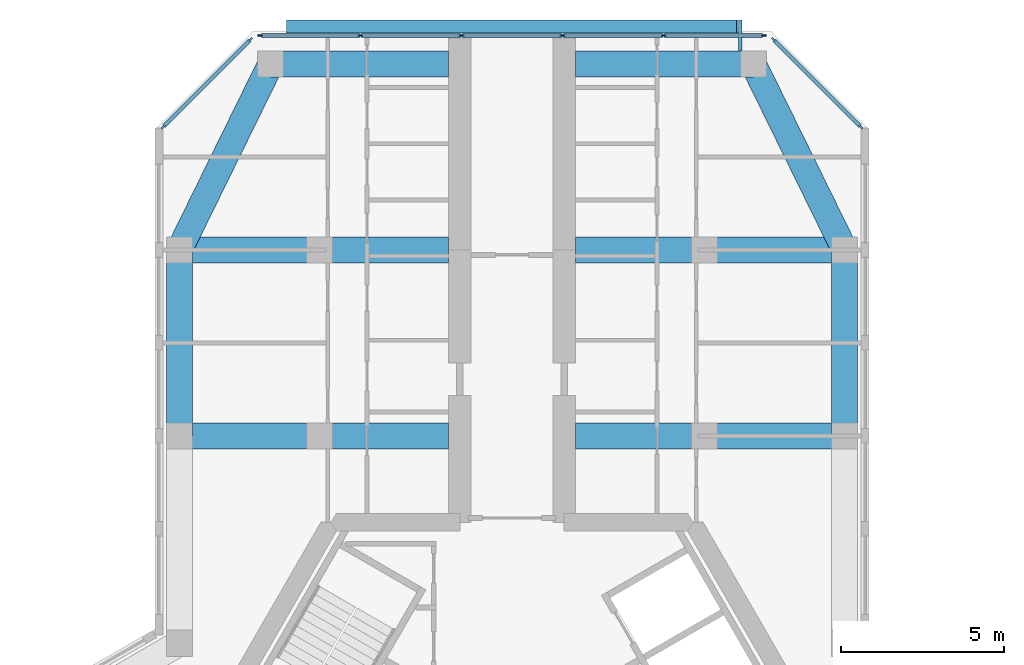
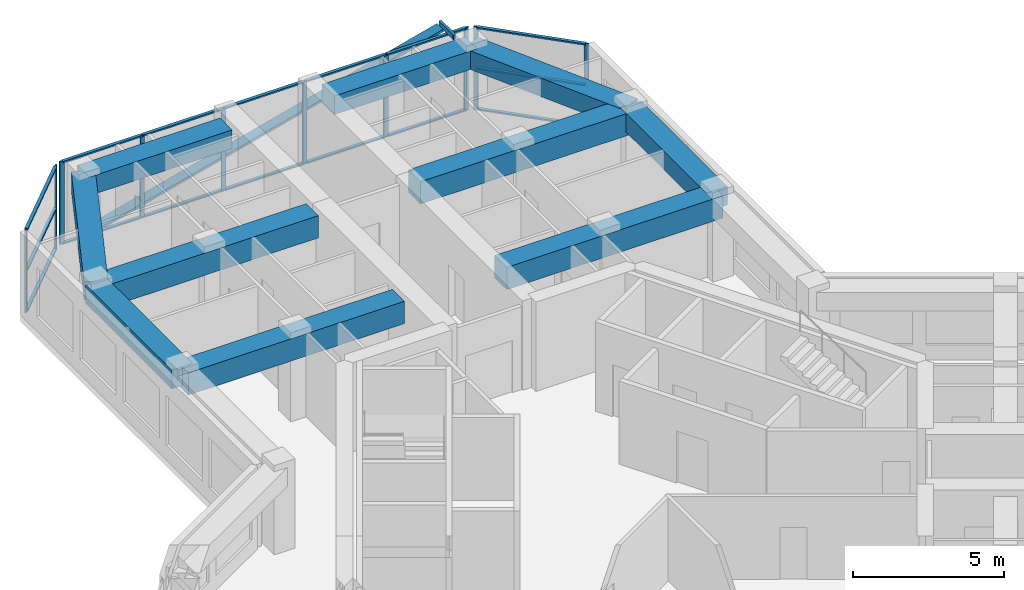
# One storey, part 5 of 14: 28 members, 10 beams, 3 elements without a shape of their own.
"""IFC4 building model written with IfcOpenShell, lengths in metres."""

from ifc_helpers import new_model, si_unit, direction, frame, origin, origin_2d, place, context, subcontext, project, spatial, rectangle, hollow_rectangle, extrude, material, material_profile, profile_set, type_object, element, aggregate, save


model = new_model("IFC4")

# Units and contexts
model_context = context("Model", 3, precision=1e-05, world=origin(), true_north=direction((0.0, 1.0)))
body_context = subcontext(model_context, "Body", "Model", "MODEL_VIEW")
ifc_project = project(units=[si_unit("LENGTHUNIT", "METRE"), si_unit("AREAUNIT", "SQUARE_METRE"), si_unit("VOLUMEUNIT", "CUBIC_METRE"), si_unit("PLANEANGLEUNIT", "RADIAN"), si_unit("MASSUNIT", "GRAM", prefix="KILO")], contexts=[model_context])

# Site, building, storey
site_placement = place(None, origin())
site = spatial("IfcSite", under=ifc_project, at=site_placement, CompositionType="ELEMENT")
building_placement = place(site_placement, origin())
building = spatial("IfcBuilding", under=site, at=building_placement, Name="Kosmar Iwan School Tower", CompositionType="ELEMENT")
storey_placement = place(building_placement, frame((0.0, 0.0, 281.800048828125)))
storey = spatial("IfcBuildingStorey", under=building, at=storey_placement, Name="L71", CompositionType="ELEMENT", Elevation=281.800048828125)

# Members
ifc_material_1 = material(Name="Black anodised aluminium", Category="aluminium")
ifc_material_profile_1 = material_profile(ifc_material_1, rectangle(XDim=0.10009765625, YDim=0.39990234375, at=origin_2d()), Name="FIN 100x400")
ifc_profile_set_1 = profile_set([ifc_material_profile_1], Name="Black anodised aluminium")
member_type_1 = type_object("IfcMemberType", Name="Diagonal fin 100x400", PredefinedType="USERDEFINED", material=ifc_profile_set_1)
member_1_placement = place(storey_placement, frame((-6.898193359375, 24.800048828125, -0.150146484375), z_axis=(0.967599450335, 0.0, 0.252490205179), x_axis=(-0.252490205179, 0.0, 0.967599450335)))
element("IfcMember", 1, at=member_1_placement, inside=storey, type_object=member_type_1, Name="Diagonal fin L71-F08", ObjectType="FIN", PredefinedType="USERDEFINED", context=body_context, shape_type="SweptSolid", body=[
    extrude(rectangle(XDim=0.10009765625, YDim=0.39990234375, at=origin_2d()), origin(), (0.0, 0.0, 1.0), 14.25830078125),
])
ifc_material_2 = material(Name="Steel S355", Category="steel")
ifc_material_profile_2 = material_profile(ifc_material_2, hollow_rectangle(XDim=0.10009765625, YDim=0.199951171875, WallThickness=0.008056640625, at=origin_2d()), Name="RHS 200x100x8")
ifc_profile_set_2 = profile_set([ifc_material_profile_2], Name="Steel S355")
member_type_2 = type_object("IfcMemberType", Name="Fin bracket RHS 200x100", PredefinedType="USERDEFINED", material=ifc_profile_set_2)
member_2_placement = place(storey_placement, frame((7.0, 24.050048828125, 3.474853515625), z_axis=(0.0, 1.0, 0.0), x_axis=(-1.0, 0.0, 0.0)))
element("IfcMember", 2, at=member_2_placement, inside=storey, type_object=member_type_2, Name="Fin bracket L72", ObjectType="FIN BRACKET", PredefinedType="USERDEFINED", context=body_context, shape_type="SweptSolid", body=[
    extrude(hollow_rectangle(XDim=0.10009765625, YDim=0.199951171875, WallThickness=0.008056640625, at=origin_2d()), origin(), (0.0, 0.0, 1.0), 0.949951171875),
])

# Curtain wall, members
ifc_material_3 = material(Name="Dark glass in black aluminium frame", Category="aluminium")
curtain_wall_type_1 = type_object("IfcCurtainWallType", Name="Chamfer curtain wall dark glass", PredefinedType="USERDEFINED", material=ifc_material_3)
curtain_wall_1_placement = place(storey_placement, origin())
curtain_wall_1 = element("IfcCurtainWall", 3, at=curtain_wall_1_placement, inside=storey, type_object=curtain_wall_type_1, Name="Curtain wall L71-F07", ObjectType="FACETED CURTAIN WALL", PredefinedType="USERDEFINED")
ifc_material_4 = material(Name="Black anodised aluminium", Category="aluminium")
ifc_material_profile_3 = material_profile(ifc_material_4, rectangle(XDim=0.06005859375, YDim=0.159912109375, at=origin_2d()), Name="MULLION 60x160")
ifc_profile_set_3 = profile_set([ifc_material_profile_3], Name="Black anodised aluminium")
member_type_3 = type_object("IfcMemberType", Name="Mullion 60x160", PredefinedType="MULLION", material=ifc_profile_set_3)
member_3_placement = place(storey_placement, frame((10.69775390625, 21.7255859375, 0.0), z_axis=(0.0, 0.0, 1.0), x_axis=(-0.707106781187, -0.707106781187, 0.0)))
member_3 = element("IfcMember", 4, at=member_3_placement, type_object=member_type_3, Name="CW2 mullion 1", PredefinedType="MULLION", context=body_context, shape_type="SweptSolid", body=[
    extrude(rectangle(XDim=0.06005859375, YDim=0.159912109375, at=origin_2d()), origin(), (0.0, 0.0, 1.0), 3.349853515625),
])
member_4_placement = place(storey_placement, frame((8.025390625, 24.397705078125, 0.0), z_axis=(0.0, 0.0, 1.0), x_axis=(-0.707106781187, -0.707106781187, 0.0)))
member_4 = element("IfcMember", 5, at=member_4_placement, type_object=member_type_3, Name="CW2 mullion 2", PredefinedType="MULLION", context=body_context, shape_type="SweptSolid", body=[
    extrude(rectangle(XDim=0.06005859375, YDim=0.159912109375, at=origin_2d()), origin(), (0.0, 0.0, 1.0), 3.349853515625),
])

ifc_material_5 = material(Name="Dark glass in black aluminium frame", Category="aluminium")
curtain_wall_type_2 = type_object("IfcCurtainWallType", Name="Tower curtain wall dark glass", PredefinedType="USERDEFINED", material=ifc_material_5)
curtain_wall_2_placement = place(storey_placement, origin())
curtain_wall_2 = element("IfcCurtainWall", 6, at=curtain_wall_2_placement, inside=storey, type_object=curtain_wall_type_2, Name="Curtain wall L71-F08", ObjectType="UNITISED CURTAIN WALL", PredefinedType="USERDEFINED")
member_5_placement = place(storey_placement, frame((7.71826171875, 24.52490234375, 0.0), z_axis=(0.0, 0.0, 1.0), x_axis=(0.0, -1.0, 0.0)))
member_5 = element("IfcMember", 7, at=member_5_placement, type_object=member_type_3, Name="CW1 mullion 1", PredefinedType="MULLION", context=body_context, shape_type="SweptSolid", body=[
    extrude(rectangle(XDim=0.06005859375, YDim=0.159912109375, at=origin_2d()), origin(), (0.0, 0.0, 1.0), 3.349853515625),
])
member_6_placement = place(storey_placement, frame((4.64892578125, 24.52490234375, 0.0), z_axis=(0.0, 0.0, 1.0), x_axis=(0.0, -1.0, 0.0)))
member_6 = element("IfcMember", 8, at=member_6_placement, type_object=member_type_3, Name="CW1 mullion 2", PredefinedType="MULLION", context=body_context, shape_type="SweptSolid", body=[
    extrude(rectangle(XDim=0.06005859375, YDim=0.159912109375, at=origin_2d()), origin(), (0.0, 0.0, 1.0), 3.349853515625),
])
member_7_placement = place(storey_placement, frame((1.549560546875, 24.52490234375, 0.0), z_axis=(0.0, 0.0, 1.0), x_axis=(0.0, -1.0, 0.0)))
member_7 = element("IfcMember", 9, at=member_7_placement, type_object=member_type_3, Name="CW1 mullion 3", PredefinedType="MULLION", context=body_context, shape_type="SweptSolid", body=[
    extrude(rectangle(XDim=0.06005859375, YDim=0.159912109375, at=origin_2d()), origin(), (0.0, 0.0, 1.0), 3.349853515625),
])
member_8_placement = place(storey_placement, frame((-1.549560546875, 24.52490234375, 0.0), z_axis=(0.0, 0.0, 1.0), x_axis=(0.0, -1.0, 0.0)))
member_8 = element("IfcMember", 10, at=member_8_placement, type_object=member_type_3, Name="CW1 mullion 4", PredefinedType="MULLION", context=body_context, shape_type="SweptSolid", body=[
    extrude(rectangle(XDim=0.06005859375, YDim=0.159912109375, at=origin_2d()), origin(), (0.0, 0.0, 1.0), 3.349853515625),
])
member_9_placement = place(storey_placement, frame((-4.64892578125, 24.52490234375, 0.0), z_axis=(0.0, 0.0, 1.0), x_axis=(0.0, -1.0, 0.0)))
member_9 = element("IfcMember", 11, at=member_9_placement, type_object=member_type_3, Name="CW1 mullion 5", PredefinedType="MULLION", context=body_context, shape_type="SweptSolid", body=[
    extrude(rectangle(XDim=0.06005859375, YDim=0.159912109375, at=origin_2d()), origin(), (0.0, 0.0, 1.0), 3.349853515625),
])
member_10_placement = place(storey_placement, frame((-7.71826171875, 24.52490234375, 0.0), z_axis=(0.0, 0.0, 1.0), x_axis=(0.0, -1.0, 0.0)))
member_10 = element("IfcMember", 12, at=member_10_placement, type_object=member_type_3, Name="CW1 mullion 6", PredefinedType="MULLION", context=body_context, shape_type="SweptSolid", body=[
    extrude(rectangle(XDim=0.06005859375, YDim=0.159912109375, at=origin_2d()), origin(), (0.0, 0.0, 1.0), 3.349853515625),
])

curtain_wall_3_placement = place(storey_placement, origin())
curtain_wall_3 = element("IfcCurtainWall", 13, at=curtain_wall_3_placement, inside=storey, type_object=curtain_wall_type_1, Name="Curtain wall L71-F09", ObjectType="FACETED CURTAIN WALL", PredefinedType="USERDEFINED")
member_11_placement = place(storey_placement, frame((-8.025390625, 24.397705078125, 0.0), z_axis=(0.0, 0.0, 1.0), x_axis=(0.707106781187, -0.707106781187, 0.0)))
member_11 = element("IfcMember", 14, at=member_11_placement, type_object=member_type_3, Name="CW2 mullion 1", PredefinedType="MULLION", context=body_context, shape_type="SweptSolid", body=[
    extrude(rectangle(XDim=0.06005859375, YDim=0.159912109375, at=origin_2d()), origin(), (0.0, 0.0, 1.0), 3.349853515625),
])
member_12_placement = place(storey_placement, frame((-10.69775390625, 21.7255859375, 0.0), z_axis=(0.0, 0.0, 1.0), x_axis=(0.707106781187, -0.707106781187, 0.0)))
member_12 = element("IfcMember", 15, at=member_12_placement, type_object=member_type_3, Name="CW2 mullion 2", PredefinedType="MULLION", context=body_context, shape_type="SweptSolid", body=[
    extrude(rectangle(XDim=0.06005859375, YDim=0.159912109375, at=origin_2d()), origin(), (0.0, 0.0, 1.0), 3.349853515625),
])

# Beams
ifc_material_6 = material(Name="Concrete C50/60", Category="concrete")
ifc_material_profile_4 = material_profile(ifc_material_6, rectangle(XDim=0.800048828125, YDim=0.75, at=origin_2d()), Name="RC 800x750")
ifc_profile_set_4 = profile_set([ifc_material_profile_4], Name="Concrete C50/60")
beam_type_1 = type_object("IfcBeamType", Name="RC edge beam 800x750", PredefinedType="BEAM", material=ifc_profile_set_4)
for number, where, z_axis, x_axis, name in (
    (16, (-10.199951171875, 12.25, 2.974853515625), (0.0, 1.0, 0.0), (-1.0, 0.0, 0.0), "Edge beam AL2"),
    (17, (10.199951171875, 12.25, 2.974853515625), (0.0, 1.0, 0.0), (-1.0, 0.0, 0.0), "Edge beam AR2"),
):
    element("IfcBeam", number, at=place(storey_placement, frame(where, z_axis=z_axis, x_axis=x_axis)), inside=storey, type_object=beam_type_1, Name=name, PredefinedType="BEAM", context=body_context, shape_type="SweptSolid", body=[
        extrude(rectangle(XDim=0.800048828125, YDim=0.75, at=origin_2d()), origin(), (0.0, 0.0, 1.0), 5.699951171875),
    ])
ifc_material_7 = material(Name="Concrete C50/60", Category="concrete")
ifc_material_profile_5 = material_profile(ifc_material_7, rectangle(XDim=0.800048828125, YDim=0.75, at=origin_2d()), Name="RC 800x750")
ifc_profile_set_5 = profile_set([ifc_material_profile_5], Name="Concrete C50/60")
beam_type_2 = type_object("IfcBeamType", Name="RC tip beam 800x750", PredefinedType="BEAM", material=ifc_profile_set_5)
beam_1_placement = place(storey_placement, frame((-10.199951171875, 17.949951171875, 2.974853515625), z_axis=(0.440913116462, 0.897549788999, 0.0), x_axis=(-0.897549788999, 0.440913116462, 0.0)))
element("IfcBeam", 18, at=beam_1_placement, inside=storey, type_object=beam_type_2, Name="Tip beam AL", PredefinedType="BEAM", context=body_context, shape_type="SweptSolid", body=[
    extrude(rectangle(XDim=0.800048828125, YDim=0.75, at=origin_2d()), origin(), (0.0, 0.0, 1.0), 6.3505859375),
])
beam_2_placement = place(storey_placement, frame((-7.39990234375, 23.64990234375, 2.974853515625), z_axis=(1.0, 0.0, 0.0), x_axis=(0.0, 1.0, 0.0)))
element("IfcBeam", 19, at=beam_2_placement, inside=storey, type_object=beam_type_2, Name="Tip beam AL to corridor wall", PredefinedType="BEAM", context=body_context, shape_type="SweptSolid", body=[
    extrude(rectangle(XDim=0.800048828125, YDim=0.75, at=origin_2d()), origin(), (0.0, 0.0, 1.0), 5.449951171875),
])
beam_3_placement = place(storey_placement, frame((10.199951171875, 17.949951171875, 2.974853515625), z_axis=(-0.440913116462, 0.897549788999, 0.0), x_axis=(-0.897549788999, -0.440913116462, 0.0)))
element("IfcBeam", 20, at=beam_3_placement, inside=storey, type_object=beam_type_2, Name="Tip beam AR", PredefinedType="BEAM", context=body_context, shape_type="SweptSolid", body=[
    extrude(rectangle(XDim=0.800048828125, YDim=0.75, at=origin_2d()), origin(), (0.0, 0.0, 1.0), 6.3505859375),
])
beam_4_placement = place(storey_placement, frame((7.39990234375, 23.64990234375, 2.974853515625), z_axis=(-1.0, 0.0, 0.0), x_axis=(0.0, -1.0, 0.0)))
element("IfcBeam", 21, at=beam_4_placement, inside=storey, type_object=beam_type_2, Name="Tip beam AR to corridor wall", PredefinedType="BEAM", context=body_context, shape_type="SweptSolid", body=[
    extrude(rectangle(XDim=0.800048828125, YDim=0.75, at=origin_2d()), origin(), (0.0, 0.0, 1.0), 5.449951171875),
])
ifc_material_8 = material(Name="Concrete C50/60", Category="concrete")
ifc_material_profile_6 = material_profile(ifc_material_8, rectangle(XDim=0.800048828125, YDim=0.89990234375, at=origin_2d()), Name="RC 800x900")
ifc_profile_set_6 = profile_set([ifc_material_profile_6], Name="Concrete C50/60")
beam_type_3 = type_object("IfcBeamType", Name="RC transverse beam 800x900", PredefinedType="BEAM", material=ifc_profile_set_6)
for number, where, z_axis, x_axis, name in (
    (22, (-10.199951171875, 12.25, 2.89990234375), (1.0, 0.0, 0.0), (0.0, 1.0, 0.0), "Transverse beam AL1"),
    (23, (-10.199951171875, 17.949951171875, 2.89990234375), (1.0, 0.0, 0.0), (0.0, 1.0, 0.0), "Transverse beam AL2"),
    (24, (10.199951171875, 12.25, 2.89990234375), (-1.0, 0.0, 0.0), (0.0, -1.0, 0.0), "Transverse beam AR1"),
    (25, (10.199951171875, 17.949951171875, 2.89990234375), (-1.0, 0.0, 0.0), (0.0, -1.0, 0.0), "Transverse beam AR2"),
):
    element("IfcBeam", number, at=place(storey_placement, frame(where, z_axis=z_axis, x_axis=x_axis)), inside=storey, type_object=beam_type_3, Name=name, PredefinedType="BEAM", context=body_context, shape_type="SweptSolid", body=[
        extrude(rectangle(XDim=0.800048828125, YDim=0.89990234375, at=origin_2d()), origin(), (0.0, 0.0, 1.0), 8.25),
    ])

# Member
ifc_material_9 = material(Name="Black anodised aluminium", Category="aluminium")
ifc_material_profile_7 = material_profile(ifc_material_9, rectangle(XDim=0.1201171875, YDim=0.06005859375, at=origin_2d()), Name="TRANSOM 60x120")
ifc_profile_set_7 = profile_set([ifc_material_profile_7], Name="Black anodised aluminium")
member_type_4 = type_object("IfcMemberType", Name="Transom 60x120", PredefinedType="USERDEFINED", material=ifc_profile_set_7)
member_13_placement = place(storey_placement, frame((10.676513671875, 21.746826171875, 0.030029296875), z_axis=(-0.707139603466, 0.707073957383, 0.0), x_axis=(-0.707073957383, -0.707139603466, 0.0)))
member_13 = element("IfcMember", 26, at=member_13_placement, type_object=member_type_4, Name="CW2 transom 1.1", ObjectType="TRANSOM", PredefinedType="USERDEFINED", context=body_context, shape_type="SweptSolid", body=[
    extrude(rectangle(XDim=0.1201171875, YDim=0.06005859375, at=origin_2d()), origin(), (0.0, 0.0, 1.0), 3.718994140625),
])

member_14_placement = place(storey_placement, frame((10.676513671875, 21.746826171875, 1.675048828125), z_axis=(-0.707139603466, 0.707073957383, 0.0), x_axis=(-0.707073957383, -0.707139603466, 0.0)))
member_14 = element("IfcMember", 27, at=member_14_placement, type_object=member_type_4, Name="CW2 transom 1.2", ObjectType="TRANSOM", PredefinedType="USERDEFINED", context=body_context, shape_type="SweptSolid", body=[
    extrude(rectangle(XDim=0.1201171875, YDim=0.06005859375, at=origin_2d()), origin(), (0.0, 0.0, 1.0), 3.718994140625),
])

member_15_placement = place(storey_placement, frame((10.676513671875, 21.746826171875, 3.320068359375), z_axis=(-0.707139603466, 0.707073957383, 0.0), x_axis=(-0.707073957383, -0.707139603466, 0.0)))
member_15 = element("IfcMember", 28, at=member_15_placement, type_object=member_type_4, Name="CW2 transom 1.3", ObjectType="TRANSOM", PredefinedType="USERDEFINED", context=body_context, shape_type="SweptSolid", body=[
    extrude(rectangle(XDim=0.1201171875, YDim=0.06005859375, at=origin_2d()), origin(), (0.0, 0.0, 1.0), 3.718994140625),
])

aggregate(curtain_wall_1, [member_3, member_4, member_13, member_14, member_15])

member_16_placement = place(storey_placement, frame((7.688232421875, 24.52490234375, 0.030029296875), z_axis=(-1.0, 0.0, 0.0), x_axis=(0.0, -1.0, 0.0)))
member_16 = element("IfcMember", 29, at=member_16_placement, type_object=member_type_4, Name="CW1 transom 1.1", ObjectType="TRANSOM", PredefinedType="USERDEFINED", context=body_context, shape_type="SweptSolid", body=[
    extrude(rectangle(XDim=0.1201171875, YDim=0.06005859375, at=origin_2d()), origin(), (0.0, 0.0, 1.0), 3.00927734375),
])

member_17_placement = place(storey_placement, frame((7.688232421875, 24.52490234375, 3.320068359375), z_axis=(-1.0, 0.0, 0.0), x_axis=(0.0, -1.0, 0.0)))
member_17 = element("IfcMember", 30, at=member_17_placement, type_object=member_type_4, Name="CW1 transom 1.2", ObjectType="TRANSOM", PredefinedType="USERDEFINED", context=body_context, shape_type="SweptSolid", body=[
    extrude(rectangle(XDim=0.1201171875, YDim=0.06005859375, at=origin_2d()), origin(), (0.0, 0.0, 1.0), 3.00927734375),
])

member_18_placement = place(storey_placement, frame((4.618896484375, 24.52490234375, 0.030029296875), z_axis=(-1.0, 0.0, 0.0), x_axis=(0.0, -1.0, 0.0)))
member_18 = element("IfcMember", 31, at=member_18_placement, type_object=member_type_4, Name="CW1 transom 2.1", ObjectType="TRANSOM", PredefinedType="USERDEFINED", context=body_context, shape_type="SweptSolid", body=[
    extrude(rectangle(XDim=0.1201171875, YDim=0.06005859375, at=origin_2d()), origin(), (0.0, 0.0, 1.0), 3.039306640625),
])

member_19_placement = place(storey_placement, frame((4.618896484375, 24.52490234375, 3.320068359375), z_axis=(-1.0, 0.0, 0.0), x_axis=(0.0, -1.0, 0.0)))
member_19 = element("IfcMember", 32, at=member_19_placement, type_object=member_type_4, Name="CW1 transom 2.2", ObjectType="TRANSOM", PredefinedType="USERDEFINED", context=body_context, shape_type="SweptSolid", body=[
    extrude(rectangle(XDim=0.1201171875, YDim=0.06005859375, at=origin_2d()), origin(), (0.0, 0.0, 1.0), 3.039306640625),
])

member_20_placement = place(storey_placement, frame((1.51953125, 24.52490234375, 0.030029296875), z_axis=(-1.0, 0.0, 0.0), x_axis=(0.0, -1.0, 0.0)))
member_20 = element("IfcMember", 33, at=member_20_placement, type_object=member_type_4, Name="CW1 transom 3.1", ObjectType="TRANSOM", PredefinedType="USERDEFINED", context=body_context, shape_type="SweptSolid", body=[
    extrude(rectangle(XDim=0.1201171875, YDim=0.06005859375, at=origin_2d()), origin(), (0.0, 0.0, 1.0), 3.0390625),
])

member_21_placement = place(storey_placement, frame((1.51953125, 24.52490234375, 3.320068359375), z_axis=(-1.0, 0.0, 0.0), x_axis=(0.0, -1.0, 0.0)))
member_21 = element("IfcMember", 34, at=member_21_placement, type_object=member_type_4, Name="CW1 transom 3.2", ObjectType="TRANSOM", PredefinedType="USERDEFINED", context=body_context, shape_type="SweptSolid", body=[
    extrude(rectangle(XDim=0.1201171875, YDim=0.06005859375, at=origin_2d()), origin(), (0.0, 0.0, 1.0), 3.0390625),
])

member_22_placement = place(storey_placement, frame((-1.57958984375, 24.52490234375, 0.030029296875), z_axis=(-1.0, 0.0, 0.0), x_axis=(0.0, -1.0, 0.0)))
member_22 = element("IfcMember", 35, at=member_22_placement, type_object=member_type_4, Name="CW1 transom 4.1", ObjectType="TRANSOM", PredefinedType="USERDEFINED", context=body_context, shape_type="SweptSolid", body=[
    extrude(rectangle(XDim=0.1201171875, YDim=0.06005859375, at=origin_2d()), origin(), (0.0, 0.0, 1.0), 3.039306640625),
])

member_23_placement = place(storey_placement, frame((-1.57958984375, 24.52490234375, 3.320068359375), z_axis=(-1.0, 0.0, 0.0), x_axis=(0.0, -1.0, 0.0)))
member_23 = element("IfcMember", 36, at=member_23_placement, type_object=member_type_4, Name="CW1 transom 4.2", ObjectType="TRANSOM", PredefinedType="USERDEFINED", context=body_context, shape_type="SweptSolid", body=[
    extrude(rectangle(XDim=0.1201171875, YDim=0.06005859375, at=origin_2d()), origin(), (0.0, 0.0, 1.0), 3.039306640625),
])

member_24_placement = place(storey_placement, frame((-4.678955078125, 24.52490234375, 0.030029296875), z_axis=(-1.0, 0.0, 0.0), x_axis=(0.0, -1.0, 0.0)))
member_24 = element("IfcMember", 37, at=member_24_placement, type_object=member_type_4, Name="CW1 transom 5.1", ObjectType="TRANSOM", PredefinedType="USERDEFINED", context=body_context, shape_type="SweptSolid", body=[
    extrude(rectangle(XDim=0.1201171875, YDim=0.06005859375, at=origin_2d()), origin(), (0.0, 0.0, 1.0), 3.00927734375),
])

member_25_placement = place(storey_placement, frame((-4.678955078125, 24.52490234375, 3.320068359375), z_axis=(-1.0, 0.0, 0.0), x_axis=(0.0, -1.0, 0.0)))
member_25 = element("IfcMember", 38, at=member_25_placement, type_object=member_type_4, Name="CW1 transom 5.2", ObjectType="TRANSOM", PredefinedType="USERDEFINED", context=body_context, shape_type="SweptSolid", body=[
    extrude(rectangle(XDim=0.1201171875, YDim=0.06005859375, at=origin_2d()), origin(), (0.0, 0.0, 1.0), 3.00927734375),
])

aggregate(curtain_wall_2, [member_5, member_6, member_7, member_8, member_9, member_10, member_16, member_17, member_18, member_19, member_20, member_21, member_22, member_23, member_24, member_25])

member_26_placement = place(storey_placement, frame((-8.046630859375, 24.37646484375, 0.030029296875), z_axis=(-0.707139603466, -0.707073957383, 0.0), x_axis=(0.707073957383, -0.707139603466, 0.0)))
member_26 = element("IfcMember", 39, at=member_26_placement, type_object=member_type_4, Name="CW2 transom 1.1", ObjectType="TRANSOM", PredefinedType="USERDEFINED", context=body_context, shape_type="SweptSolid", body=[
    extrude(rectangle(XDim=0.1201171875, YDim=0.06005859375, at=origin_2d()), origin(), (0.0, 0.0, 1.0), 3.718994140625),
])

member_27_placement = place(storey_placement, frame((-8.046630859375, 24.37646484375, 1.675048828125), z_axis=(-0.707139603466, -0.707073957383, 0.0), x_axis=(0.707073957383, -0.707139603466, 0.0)))
member_27 = element("IfcMember", 40, at=member_27_placement, type_object=member_type_4, Name="CW2 transom 1.2", ObjectType="TRANSOM", PredefinedType="USERDEFINED", context=body_context, shape_type="SweptSolid", body=[
    extrude(rectangle(XDim=0.1201171875, YDim=0.06005859375, at=origin_2d()), origin(), (0.0, 0.0, 1.0), 3.718994140625),
])

member_28_placement = place(storey_placement, frame((-8.046630859375, 24.37646484375, 3.320068359375), z_axis=(-0.707139603466, -0.707073957383, 0.0), x_axis=(0.707073957383, -0.707139603466, 0.0)))
member_28 = element("IfcMember", 41, at=member_28_placement, type_object=member_type_4, Name="CW2 transom 1.3", ObjectType="TRANSOM", PredefinedType="USERDEFINED", context=body_context, shape_type="SweptSolid", body=[
    extrude(rectangle(XDim=0.1201171875, YDim=0.06005859375, at=origin_2d()), origin(), (0.0, 0.0, 1.0), 3.718994140625),
])

aggregate(curtain_wall_3, [member_11, member_12, member_26, member_27, member_28])

save(model, "model.ifc")
